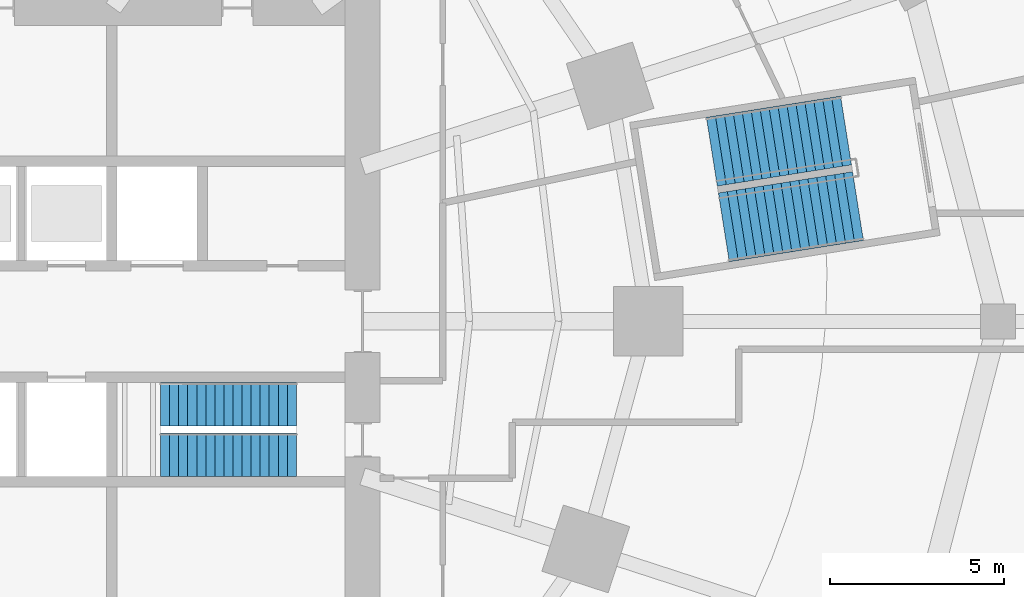
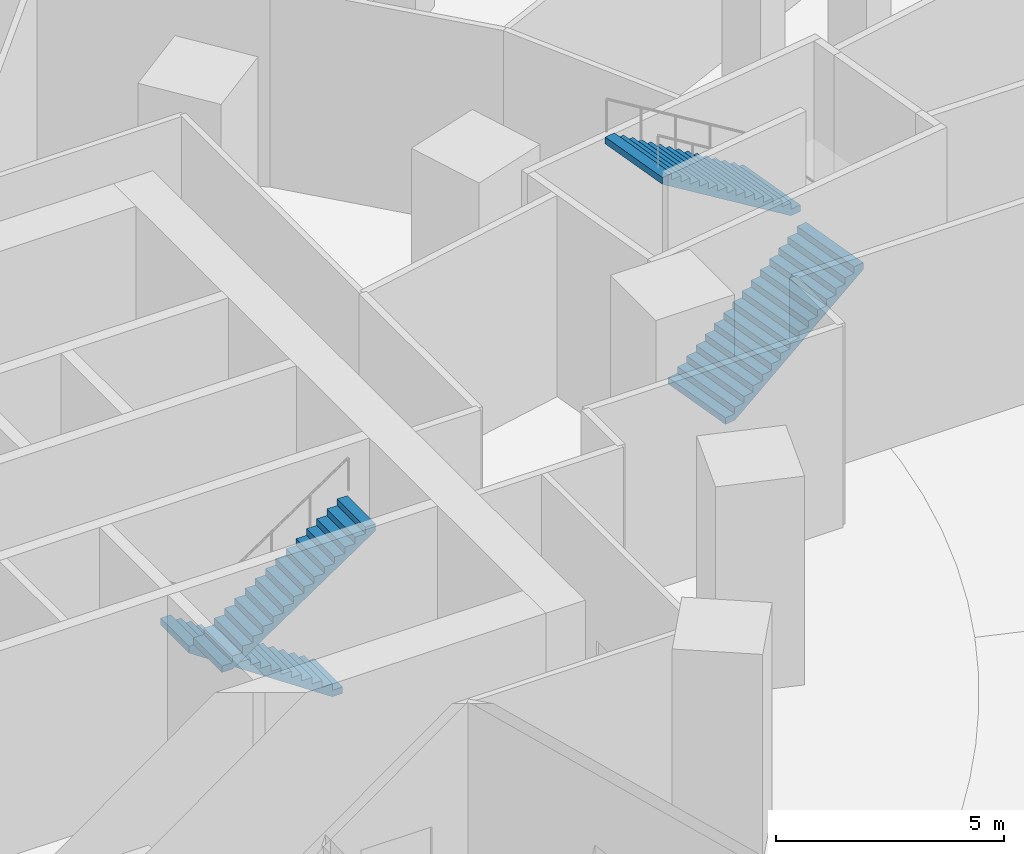
# One storey, part 21 of 23: 4 stair flights, 2 elements without a shape of their own.
"""IFC4 building model written with IfcOpenShell, lengths in metres."""

from ifc_helpers import new_model, si_unit, direction, frame, origin, place, context, subcontext, project, spatial, polyline, outline, extrude, material, type_object, element, aggregate, save


model = new_model("IFC4")

# Units and contexts
model_context = context("Model", 3, precision=1e-05, world=origin(), true_north=direction((0.0, 1.0)))
body_context = subcontext(model_context, "Body", "Model", "MODEL_VIEW")
ifc_project = project(units=[si_unit("LENGTHUNIT", "METRE"), si_unit("AREAUNIT", "SQUARE_METRE"), si_unit("VOLUMEUNIT", "CUBIC_METRE"), si_unit("PLANEANGLEUNIT", "RADIAN"), si_unit("MASSUNIT", "GRAM", prefix="KILO")], contexts=[model_context])

# Site, building, storey
site_placement = place(None, origin())
site = spatial("IfcSite", under=ifc_project, at=site_placement, CompositionType="ELEMENT")
building_placement = place(site_placement, origin())
building = spatial("IfcBuilding", under=site, at=building_placement, Name="Marramba Exchange Tower", CompositionType="ELEMENT")
storey_placement = place(building_placement, origin())
storey = spatial("IfcBuildingStorey", under=building, at=storey_placement, Name="L00", CompositionType="ELEMENT", Elevation=0.0)

# Stair, stair flights
ifc_material = material(Name="Concrete N40 (40 MPa)", Category="concrete")
stair_type_1 = type_object("IfcStairType", Name="Exit stair ST2 5600 x 1250", PredefinedType="HALF_TURN_STAIR", material=ifc_material)
stair_1_placement = place(storey_placement, origin())
stair_1 = element("IfcStair", 1, at=stair_1_placement, inside=storey, type_object=stair_type_1, Name="Exit stair ST2 L00", PredefinedType="HALF_TURN_STAIR")
stair_flight_type_1 = type_object("IfcStairFlightType", Name="ST2 stair flight 1750 riser 1250 wide", PredefinedType="STRAIGHT", material=ifc_material)
stair_flight_1_placement = place(storey_placement, frame((11.800048828125, -2.375, 0.0), z_axis=(0.0, 0.0, 1.0), x_axis=(-1.0, 0.0, 0.0)))
stair_flight_1 = element("IfcStairFlight", 2, at=stair_flight_1_placement, type_object=stair_flight_type_1, Name="ST2 flight 1", NumberOfRisers=16, NumberOfTreads=15, PredefinedType="STRAIGHT", RiserHeight=0.175, TreadLength=0.26, context=body_context, shape_type="SweptSolid", body=[
    extrude(outline(polyline([(0.0, 0.0), (0.0, 0.175048828125), (0.260009765625, 0.175048828125), (0.260009765625, 0.35009765625), (0.52001953125, 0.35009765625), (0.52001953125, 0.52490234375), (0.780029296875, 0.52490234375), (0.780029296875, 0.699951171875), (1.0400390625, 0.699951171875), (1.0400390625, 0.875), (1.300048828125, 0.875), (1.300048828125, 1.050048828125), (1.56005859375, 1.050048828125), (1.56005859375, 1.22509765625), (1.820068359375, 1.22509765625), (1.820068359375, 1.39990234375), (2.080078125, 1.39990234375), (2.080078125, 1.574951171875), (2.340087890625, 1.574951171875), (2.340087890625, 1.75), (2.60009765625, 1.75), (2.60009765625, 1.925048828125), (2.860107421875, 1.925048828125), (2.860107421875, 2.10009765625), (3.1201171875, 2.10009765625), (3.1201171875, 2.27490234375), (3.3798828125, 2.27490234375), (3.3798828125, 2.449951171875), (3.639892578125, 2.449951171875), (3.639892578125, 2.625), (3.89990234375, 2.625), (3.89990234375, 2.800048828125), (3.89990234375, 2.4443359375), (0.2685546875, 0.0), (0.0, 0.0)])), frame((0.0, 0.625, 0.0), z_axis=(0.0, -1.0, 0.0), x_axis=(1.0, 0.0, 0.0)), (0.0, 0.0, 1.0), 1.25),
])
stair_flight_2_placement = place(storey_placement, frame((7.89990234375, -3.824951171875, 2.800048828125), z_axis=(0.0, 0.0, 1.0), x_axis=(1.0, 0.0, 0.0)))
stair_flight_2 = element("IfcStairFlight", 3, at=stair_flight_2_placement, type_object=stair_flight_type_1, Name="ST2 flight 2", NumberOfRisers=16, NumberOfTreads=15, PredefinedType="STRAIGHT", RiserHeight=0.175, TreadLength=0.26, context=body_context, shape_type="SweptSolid", body=[
    extrude(outline(polyline([(0.0, 0.0), (0.0, 0.175048828125), (0.260009765625, 0.175048828125), (0.260009765625, 0.35009765625), (0.52001953125, 0.35009765625), (0.52001953125, 0.52490234375), (0.780029296875, 0.52490234375), (0.780029296875, 0.699951171875), (1.0400390625, 0.699951171875), (1.0400390625, 0.875), (1.300048828125, 0.875), (1.300048828125, 1.050048828125), (1.56005859375, 1.050048828125), (1.56005859375, 1.22509765625), (1.820068359375, 1.22509765625), (1.820068359375, 1.39990234375), (2.080078125, 1.39990234375), (2.080078125, 1.574951171875), (2.340087890625, 1.574951171875), (2.340087890625, 1.75), (2.60009765625, 1.75), (2.60009765625, 1.925048828125), (2.860107421875, 1.925048828125), (2.860107421875, 2.10009765625), (3.1201171875, 2.10009765625), (3.1201171875, 2.27490234375), (3.3798828125, 2.27490234375), (3.3798828125, 2.449951171875), (3.639892578125, 2.449951171875), (3.639892578125, 2.625), (3.89990234375, 2.625), (3.89990234375, 2.800048828125), (3.89990234375, 2.4443359375), (0.2685546875, 0.0), (0.0, 0.0)])), frame((0.0, 0.625, 0.0), z_axis=(0.0, -1.0, 0.0), x_axis=(1.0, 0.0, 0.0)), (0.0, 0.0, 1.0), 1.25),
])
aggregate(stair_1, [stair_flight_1, stair_flight_2])

stair_type_2 = type_object("IfcStairType", Name="Exit stair ST4 5600 x 2000", PredefinedType="HALF_TURN_STAIR", material=ifc_material)
stair_2_placement = place(storey_placement, origin())
stair_2 = element("IfcStair", 4, at=stair_2_placement, inside=storey, type_object=stair_type_2, Name="Exit stair ST4 L00", PredefinedType="HALF_TURN_STAIR")
stair_flight_type_2 = type_object("IfcStairFlightType", Name="ST4 stair flight 1750 riser 2000 wide", PredefinedType="STRAIGHT", material=ifc_material)
stair_flight_3_placement = place(storey_placement, frame((24.07421875, 2.69921875, 0.0), z_axis=(0.0, 0.0, 1.0), x_axis=(0.987688340595, 0.15643446504, 0.0)))
stair_flight_3 = element("IfcStairFlight", 5, at=stair_flight_3_placement, type_object=stair_flight_type_2, Name="ST4 flight 1", NumberOfRisers=16, NumberOfTreads=15, PredefinedType="STRAIGHT", RiserHeight=0.175, TreadLength=0.26, context=body_context, shape_type="SweptSolid", body=[
    extrude(outline(polyline([(0.0, 0.0), (0.0, 0.175048828125), (0.260009765625, 0.175048828125), (0.260009765625, 0.35009765625), (0.52001953125, 0.35009765625), (0.52001953125, 0.52490234375), (0.780029296875, 0.52490234375), (0.780029296875, 0.699951171875), (1.0400390625, 0.699951171875), (1.0400390625, 0.875), (1.300048828125, 0.875), (1.300048828125, 1.050048828125), (1.56005859375, 1.050048828125), (1.56005859375, 1.22509765625), (1.820068359375, 1.22509765625), (1.820068359375, 1.39990234375), (2.080078125, 1.39990234375), (2.080078125, 1.574951171875), (2.340087890625, 1.574951171875), (2.340087890625, 1.75), (2.60009765625, 1.75), (2.60009765625, 1.925048828125), (2.860107421875, 1.925048828125), (2.860107421875, 2.10009765625), (3.1201171875, 2.10009765625), (3.1201171875, 2.27490234375), (3.3798828125, 2.27490234375), (3.3798828125, 2.449951171875), (3.639892578125, 2.449951171875), (3.639892578125, 2.625), (3.89990234375, 2.625), (3.89990234375, 2.800048828125), (3.89990234375, 2.4443359375), (0.2685546875, 0.0), (0.0, 0.0)])), frame((0.0, 1.0, 0.0), z_axis=(0.0, -1.0, 0.0), x_axis=(1.0, 0.0, 0.0)), (0.0, 0.0, 1.0), 2.0),
])
stair_flight_4_placement = place(storey_placement, frame((27.58203125, 5.482177734375, 2.800048828125), z_axis=(0.0, 0.0, 1.0), x_axis=(-0.987688340595, -0.15643446504, 0.0)))
stair_flight_4 = element("IfcStairFlight", 6, at=stair_flight_4_placement, type_object=stair_flight_type_2, Name="ST4 flight 2", NumberOfRisers=16, NumberOfTreads=15, PredefinedType="STRAIGHT", RiserHeight=0.175, TreadLength=0.26, context=body_context, shape_type="SweptSolid", body=[
    extrude(outline(polyline([(0.0, 0.0), (0.0, 0.175048828125), (0.260009765625, 0.175048828125), (0.260009765625, 0.35009765625), (0.52001953125, 0.35009765625), (0.52001953125, 0.52490234375), (0.780029296875, 0.52490234375), (0.780029296875, 0.699951171875), (1.0400390625, 0.699951171875), (1.0400390625, 0.875), (1.300048828125, 0.875), (1.300048828125, 1.050048828125), (1.56005859375, 1.050048828125), (1.56005859375, 1.22509765625), (1.820068359375, 1.22509765625), (1.820068359375, 1.39990234375), (2.080078125, 1.39990234375), (2.080078125, 1.574951171875), (2.340087890625, 1.574951171875), (2.340087890625, 1.75), (2.60009765625, 1.75), (2.60009765625, 1.925048828125), (2.860107421875, 1.925048828125), (2.860107421875, 2.10009765625), (3.1201171875, 2.10009765625), (3.1201171875, 2.27490234375), (3.3798828125, 2.27490234375), (3.3798828125, 2.449951171875), (3.639892578125, 2.449951171875), (3.639892578125, 2.625), (3.89990234375, 2.625), (3.89990234375, 2.800048828125), (3.89990234375, 2.4443359375), (0.2685546875, 0.0), (0.0, 0.0)])), frame((0.0, 1.0, 0.0), z_axis=(0.0, -1.0, 0.0), x_axis=(1.0, 0.0, 0.0)), (0.0, 0.0, 1.0), 2.0),
])
aggregate(stair_2, [stair_flight_3, stair_flight_4])

save(model, "model.ifc")
